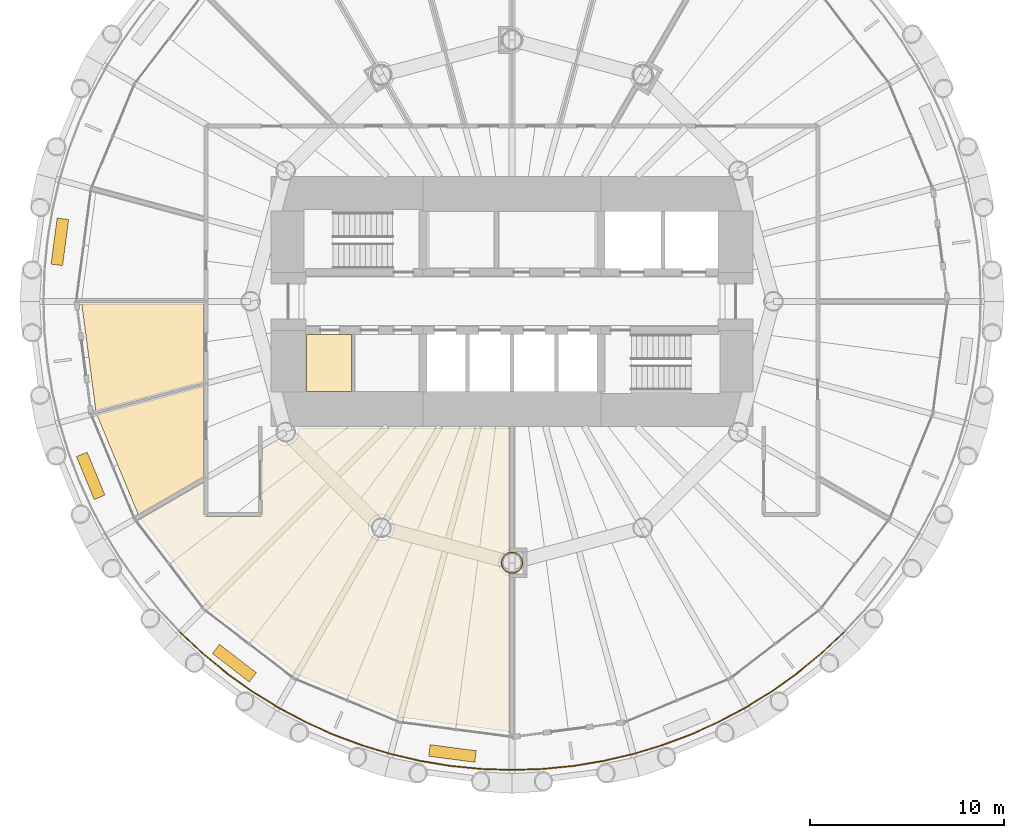
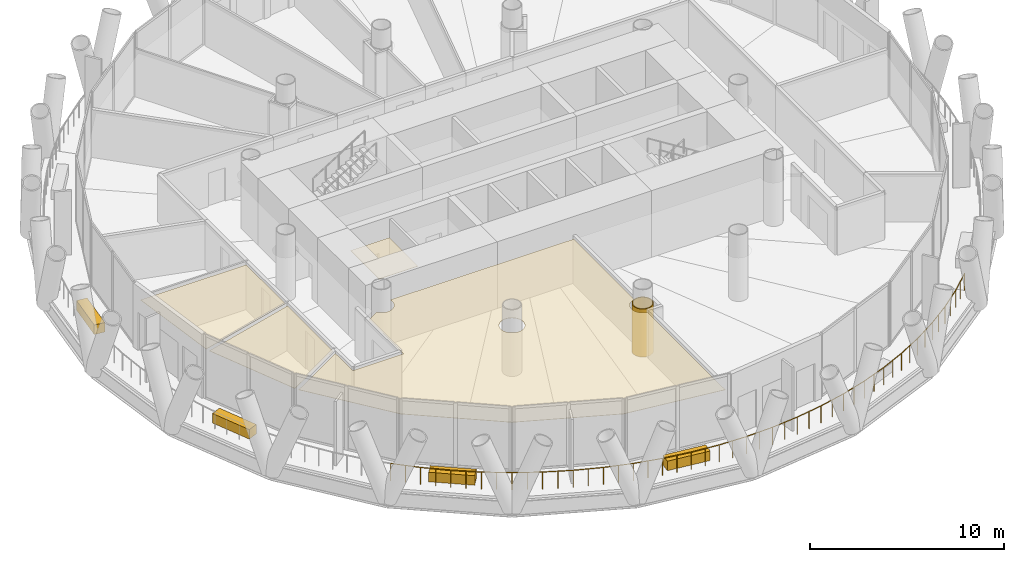
# One storey, part 12 of 15: 9 coverings, 1 railing.
"""IFC4 building model written with IfcOpenShell, lengths in metres."""

from ifc_helpers import new_model, si_unit, direction, frame, origin, origin_2d, place, context, subcontext, project, spatial, polyline, rectangle, circle, outline, extrude, material, layer, layer_set, type_object, element, save


model = new_model("IFC4")

# Units and contexts
model_context = context("Model", 3, precision=1e-05, world=origin(), true_north=direction((0.0, 1.0)))
body_context = subcontext(model_context, "Body", "Model", "MODEL_VIEW")
ifc_project = project(units=[si_unit("LENGTHUNIT", "METRE"), si_unit("AREAUNIT", "SQUARE_METRE"), si_unit("VOLUMEUNIT", "CUBIC_METRE"), si_unit("PLANEANGLEUNIT", "RADIAN"), si_unit("MASSUNIT", "GRAM", prefix="KILO")], contexts=[model_context])

# Site, building, storey
site_placement = place(None, origin())
site = spatial("IfcSite", under=ifc_project, at=site_placement, CompositionType="ELEMENT")
building_placement = place(site_placement, origin())
building = spatial("IfcBuilding", under=site, at=building_placement, Name="Qaws Media Tower", CompositionType="ELEMENT")
storey_placement = place(building_placement, frame((0.0, 0.0, 143.60009765625)))
storey = spatial("IfcBuildingStorey", under=building, at=storey_placement, Name="L32", CompositionType="ELEMENT", Elevation=143.60009765625)

# Railing
ifc_material_1 = material(Name="Stainless steel and glass guard", Category="steel")
railing_type = type_object("IfcRailingType", Name="Balcony guard 1100", PredefinedType="GUARDRAIL", material=ifc_material_1)
railing_placement = place(storey_placement, frame((42.887939453125, 32.887939453125, 0.0)))
element("IfcRailing", 1, at=railing_placement, inside=storey, type_object=railing_type, Name="GR1 balcony guard L32-3", PredefinedType="GUARDRAIL", context=body_context, shape_type="SweptSolid", body=[
    extrude(circle(Radius=0.02392578125, at=origin_2d()), frame((0.0, 0.0, 1.076171875), z_axis=(0.729926480872, -0.683525663397, 0.0), x_axis=(0.683525663397, 0.729926480872, 0.0)), (0.0, 0.0, 1.0), 1.583740234375),
    extrude(circle(Radius=0.02392578125, at=origin_2d()), frame((1.156005859375, -1.08251953125, 1.076171875), z_axis=(0.773001642284, -0.634404020343, 0.0), x_axis=(0.634404020343, 0.773001642284, 0.0)), (0.0, 0.0, 1.0), 1.58349609375),
    extrude(circle(Radius=0.02392578125, at=origin_2d()), frame((2.380126953125, -2.087158203125, 1.076171875), z_axis=(0.81283659414, -0.582491777819, 0.0), x_axis=(0.582491777819, 0.81283659414, 0.0)), (0.0, 0.0, 1.0), 1.58349609375),
    extrude(circle(Radius=0.02392578125, at=origin_2d()), frame((3.667236328125, -3.009521484375, 1.076171875), z_axis=(0.849208715075, -0.528057343706, 0.0), x_axis=(0.528057343706, 0.849208715075, 0.0)), (0.0, 0.0, 1.0), 1.58349609375),
    extrude(circle(Radius=0.02392578125, at=origin_2d()), frame((5.011962890625, -3.845703125, 1.076171875), z_axis=(0.881917304281, -0.471404145515, 0.0), x_axis=(0.471404145515, 0.881917304281, 0.0)), (0.0, 0.0, 1.0), 1.583740234375),
    extrude(circle(Radius=0.02392578125, at=origin_2d()), frame((6.40869140625, -4.59228515625, 1.076171875), z_axis=(0.910856868467, -0.412722382682, 0.0), x_axis=(0.412722382682, 0.910856868467, 0.0)), (0.0, 0.0, 1.0), 1.58349609375),
    extrude(circle(Radius=0.02392578125, at=origin_2d()), frame((7.85107421875, -5.245849609375, 1.076171875), z_axis=(0.935904026053, -0.35225509793, 0.0), x_axis=(0.35225509793, 0.935904026053, 0.0)), (0.0, 0.0, 1.0), 1.583740234375),
    extrude(circle(Radius=0.02392578125, at=origin_2d()), frame((9.333251953125, -5.8037109375, 1.076171875), z_axis=(0.95693489086, -0.290302625985, 0.0), x_axis=(0.290302625985, 0.95693489086, 0.0)), (0.0, 0.0, 1.0), 1.58349609375),
    extrude(circle(Radius=0.02392578125, at=origin_2d()), frame((10.8486328125, -6.263427734375, 1.076171875), z_axis=(0.973874177295, -0.227088279746, 0.0), x_axis=(0.227088279746, 0.973874177295, 0.0)), (0.0, 0.0, 1.0), 1.58349609375),
    extrude(circle(Radius=0.02392578125, at=origin_2d()), frame((12.390869140625, -6.623046875, 1.076171875), z_axis=(0.986659290868, -0.162798782993, 0.0), x_axis=(0.162798782993, 0.986659290868, 0.0)), (0.0, 0.0, 1.0), 1.583740234375),
    extrude(circle(Radius=0.02392578125, at=origin_2d()), frame((13.953369140625, -6.880859375, 1.076171875), z_axis=(0.995181146918, -0.098053479386, 0.0), x_axis=(0.098053479386, 0.995181146918, 0.0)), (0.0, 0.0, 1.0), 1.58349609375),
    extrude(circle(Radius=0.02392578125, at=origin_2d()), frame((15.529296875, -7.0361328125, 1.076171875), z_axis=(0.999465753674, -0.032683439731, 0.0), x_axis=(0.032683439731, 0.999465753674, 0.0)), (0.0, 0.0, 1.0), 1.58349609375),
    extrude(circle(Radius=0.02392578125, at=origin_2d()), frame((17.112060546875, -7.087890625, 1.076171875), z_axis=(0.999465753674, 0.032683439731, 0.0), x_axis=(-0.032683439731, 0.999465753674, 0.0)), (0.0, 0.0, 1.0), 1.58349609375),
    extrude(circle(Radius=0.02392578125, at=origin_2d()), frame((18.69482421875, -7.0361328125, 1.076171875), z_axis=(0.995181146918, 0.098053479386, 0.0), x_axis=(-0.098053479386, 0.995181146918, 0.0)), (0.0, 0.0, 1.0), 1.58349609375),
    extrude(circle(Radius=0.02392578125, at=origin_2d()), frame((20.270751953125, -6.880859375, 1.076171875), z_axis=(0.986659290868, 0.162798782993, 0.0), x_axis=(-0.162798782993, 0.986659290868, 0.0)), (0.0, 0.0, 1.0), 1.583740234375),
    extrude(circle(Radius=0.02392578125, at=origin_2d()), frame((21.833251953125, -6.623046875, 1.076171875), z_axis=(0.973874177295, 0.227088279746, 0.0), x_axis=(-0.227088279746, 0.973874177295, 0.0)), (0.0, 0.0, 1.0), 1.58349609375),
    extrude(circle(Radius=0.02392578125, at=origin_2d()), frame((23.37548828125, -6.263427734375, 1.076171875), z_axis=(0.95693489086, 0.290302625985, 0.0), x_axis=(-0.290302625985, 0.95693489086, 0.0)), (0.0, 0.0, 1.0), 1.58349609375),
    extrude(circle(Radius=0.02392578125, at=origin_2d()), frame((24.890869140625, -5.8037109375, 1.076171875), z_axis=(0.935904026053, 0.35225509793, 0.0), x_axis=(-0.35225509793, 0.935904026053, 0.0)), (0.0, 0.0, 1.0), 1.583740234375),
    extrude(circle(Radius=0.02392578125, at=origin_2d()), frame((26.373046875, -5.245849609375, 1.076171875), z_axis=(0.910856868467, 0.412722382682, 0.0), x_axis=(-0.412722382682, 0.910856868467, 0.0)), (0.0, 0.0, 1.0), 1.58349609375),
    extrude(circle(Radius=0.02392578125, at=origin_2d()), frame((27.8154296875, -4.59228515625, 1.076171875), z_axis=(0.881917304281, 0.471404145515, 0.0), x_axis=(-0.471404145515, 0.881917304281, 0.0)), (0.0, 0.0, 1.0), 1.583740234375),
    extrude(circle(Radius=0.02392578125, at=origin_2d()), frame((29.212158203125, -3.845703125, 1.076171875), z_axis=(0.849208715075, 0.528057343706, 0.0), x_axis=(-0.528057343706, 0.849208715075, 0.0)), (0.0, 0.0, 1.0), 1.58349609375),
    extrude(circle(Radius=0.02392578125, at=origin_2d()), frame((30.556884765625, -3.009521484375, 1.076171875), z_axis=(0.81283659414, 0.582491777819, 0.0), x_axis=(-0.582491777819, 0.81283659414, 0.0)), (0.0, 0.0, 1.0), 1.58349609375),
    extrude(circle(Radius=0.02392578125, at=origin_2d()), frame((31.843994140625, -2.087158203125, 1.076171875), z_axis=(0.773001642284, 0.634404020343, 0.0), x_axis=(-0.634404020343, 0.773001642284, 0.0)), (0.0, 0.0, 1.0), 1.58349609375),
    extrude(circle(Radius=0.02392578125, at=origin_2d()), frame((33.068115234375, -1.08251953125, 1.076171875), z_axis=(0.729926480872, 0.683525663397, 0.0), x_axis=(-0.683525663397, 0.729926480872, 0.0)), (0.0, 0.0, 1.0), 1.583740234375),
    extrude(circle(Radius=0.02099609375, at=origin_2d()), origin(), (0.0, 0.0, 1.0), 1.052001953125),
    extrude(circle(Radius=0.02099609375, at=origin_2d()), frame((0.578125, -0.541259765625, 0.0)), (0.0, 0.0, 1.0), 1.052001953125),
    extrude(circle(Radius=0.02099609375, at=origin_2d()), frame((1.156005859375, -1.08251953125, 0.0)), (0.0, 0.0, 1.0), 1.052001953125),
    extrude(circle(Radius=0.02099609375, at=origin_2d()), frame((1.76806640625, -1.5849609375, 0.0)), (0.0, 0.0, 1.0), 1.052001953125),
    extrude(circle(Radius=0.02099609375, at=origin_2d()), frame((2.380126953125, -2.087158203125, 0.0)), (0.0, 0.0, 1.0), 1.052001953125),
    extrude(circle(Radius=0.02099609375, at=origin_2d()), frame((3.023681640625, -2.54833984375, 0.0)), (0.0, 0.0, 1.0), 1.052001953125),
    extrude(circle(Radius=0.02099609375, at=origin_2d()), frame((3.667236328125, -3.009521484375, 0.0)), (0.0, 0.0, 1.0), 1.052001953125),
    extrude(circle(Radius=0.02099609375, at=origin_2d()), frame((4.339599609375, -3.427734375, 0.0)), (0.0, 0.0, 1.0), 1.052001953125),
    extrude(circle(Radius=0.02099609375, at=origin_2d()), frame((5.011962890625, -3.845703125, 0.0)), (0.0, 0.0, 1.0), 1.052001953125),
    extrude(circle(Radius=0.02099609375, at=origin_2d()), frame((5.71044921875, -4.218994140625, 0.0)), (0.0, 0.0, 1.0), 1.052001953125),
    extrude(circle(Radius=0.02099609375, at=origin_2d()), frame((6.40869140625, -4.59228515625, 0.0)), (0.0, 0.0, 1.0), 1.052001953125),
    extrude(circle(Radius=0.02099609375, at=origin_2d()), frame((7.1298828125, -4.9189453125, 0.0)), (0.0, 0.0, 1.0), 1.052001953125),
    extrude(circle(Radius=0.02099609375, at=origin_2d()), frame((7.85107421875, -5.245849609375, 0.0)), (0.0, 0.0, 1.0), 1.052001953125),
    extrude(circle(Radius=0.02099609375, at=origin_2d()), frame((8.59228515625, -5.52490234375, 0.0)), (0.0, 0.0, 1.0), 1.052001953125),
    extrude(circle(Radius=0.02099609375, at=origin_2d()), frame((9.333251953125, -5.8037109375, 0.0)), (0.0, 0.0, 1.0), 1.052001953125),
    extrude(circle(Radius=0.02099609375, at=origin_2d()), frame((10.0908203125, -6.03369140625, 0.0)), (0.0, 0.0, 1.0), 1.052001953125),
    extrude(circle(Radius=0.02099609375, at=origin_2d()), frame((10.8486328125, -6.263427734375, 0.0)), (0.0, 0.0, 1.0), 1.052001953125),
    extrude(circle(Radius=0.02099609375, at=origin_2d()), frame((11.61962890625, -6.443359375, 0.0)), (0.0, 0.0, 1.0), 1.052001953125),
    extrude(circle(Radius=0.02099609375, at=origin_2d()), frame((12.390869140625, -6.623046875, 0.0)), (0.0, 0.0, 1.0), 1.052001953125),
    extrude(circle(Radius=0.02099609375, at=origin_2d()), frame((13.172119140625, -6.751953125, 0.0)), (0.0, 0.0, 1.0), 1.052001953125),
    extrude(circle(Radius=0.02099609375, at=origin_2d()), frame((13.953369140625, -6.880859375, 0.0)), (0.0, 0.0, 1.0), 1.052001953125),
    extrude(circle(Radius=0.02099609375, at=origin_2d()), frame((14.7412109375, -6.95849609375, 0.0)), (0.0, 0.0, 1.0), 1.052001953125),
    extrude(circle(Radius=0.02099609375, at=origin_2d()), frame((15.529296875, -7.0361328125, 0.0)), (0.0, 0.0, 1.0), 1.052001953125),
    extrude(circle(Radius=0.02099609375, at=origin_2d()), frame((16.32080078125, -7.06201171875, 0.0)), (0.0, 0.0, 1.0), 1.052001953125),
    extrude(circle(Radius=0.02099609375, at=origin_2d()), frame((17.112060546875, -7.087890625, 0.0)), (0.0, 0.0, 1.0), 1.052001953125),
    extrude(circle(Radius=0.02099609375, at=origin_2d()), frame((17.9033203125, -7.06201171875, 0.0)), (0.0, 0.0, 1.0), 1.052001953125),
    extrude(circle(Radius=0.02099609375, at=origin_2d()), frame((18.69482421875, -7.0361328125, 0.0)), (0.0, 0.0, 1.0), 1.052001953125),
    extrude(circle(Radius=0.02099609375, at=origin_2d()), frame((19.48291015625, -6.95849609375, 0.0)), (0.0, 0.0, 1.0), 1.052001953125),
    extrude(circle(Radius=0.02099609375, at=origin_2d()), frame((20.270751953125, -6.880859375, 0.0)), (0.0, 0.0, 1.0), 1.052001953125),
    extrude(circle(Radius=0.02099609375, at=origin_2d()), frame((21.052001953125, -6.751953125, 0.0)), (0.0, 0.0, 1.0), 1.052001953125),
    extrude(circle(Radius=0.02099609375, at=origin_2d()), frame((21.833251953125, -6.623046875, 0.0)), (0.0, 0.0, 1.0), 1.052001953125),
    extrude(circle(Radius=0.02099609375, at=origin_2d()), frame((22.6044921875, -6.443359375, 0.0)), (0.0, 0.0, 1.0), 1.052001953125),
    extrude(circle(Radius=0.02099609375, at=origin_2d()), frame((23.37548828125, -6.263427734375, 0.0)), (0.0, 0.0, 1.0), 1.052001953125),
    extrude(circle(Radius=0.02099609375, at=origin_2d()), frame((24.13330078125, -6.03369140625, 0.0)), (0.0, 0.0, 1.0), 1.052001953125),
    extrude(circle(Radius=0.02099609375, at=origin_2d()), frame((24.890869140625, -5.8037109375, 0.0)), (0.0, 0.0, 1.0), 1.052001953125),
    extrude(circle(Radius=0.02099609375, at=origin_2d()), frame((25.6318359375, -5.52490234375, 0.0)), (0.0, 0.0, 1.0), 1.052001953125),
    extrude(circle(Radius=0.02099609375, at=origin_2d()), frame((26.373046875, -5.245849609375, 0.0)), (0.0, 0.0, 1.0), 1.052001953125),
    extrude(circle(Radius=0.02099609375, at=origin_2d()), frame((27.09423828125, -4.9189453125, 0.0)), (0.0, 0.0, 1.0), 1.052001953125),
    extrude(circle(Radius=0.02099609375, at=origin_2d()), frame((27.8154296875, -4.59228515625, 0.0)), (0.0, 0.0, 1.0), 1.052001953125),
    extrude(circle(Radius=0.02099609375, at=origin_2d()), frame((28.513671875, -4.218994140625, 0.0)), (0.0, 0.0, 1.0), 1.052001953125),
    extrude(circle(Radius=0.02099609375, at=origin_2d()), frame((29.212158203125, -3.845703125, 0.0)), (0.0, 0.0, 1.0), 1.052001953125),
    extrude(circle(Radius=0.02099609375, at=origin_2d()), frame((29.884521484375, -3.427734375, 0.0)), (0.0, 0.0, 1.0), 1.052001953125),
    extrude(circle(Radius=0.02099609375, at=origin_2d()), frame((30.556884765625, -3.009521484375, 0.0)), (0.0, 0.0, 1.0), 1.052001953125),
    extrude(circle(Radius=0.02099609375, at=origin_2d()), frame((31.200439453125, -2.54833984375, 0.0)), (0.0, 0.0, 1.0), 1.052001953125),
    extrude(circle(Radius=0.02099609375, at=origin_2d()), frame((31.843994140625, -2.087158203125, 0.0)), (0.0, 0.0, 1.0), 1.052001953125),
    extrude(circle(Radius=0.02099609375, at=origin_2d()), frame((32.4560546875, -1.5849609375, 0.0)), (0.0, 0.0, 1.0), 1.052001953125),
    extrude(circle(Radius=0.02099609375, at=origin_2d()), frame((33.068115234375, -1.08251953125, 0.0)), (0.0, 0.0, 1.0), 1.052001953125),
    extrude(circle(Radius=0.02099609375, at=origin_2d()), frame((33.64599609375, -0.541259765625, 0.0)), (0.0, 0.0, 1.0), 1.052001953125),
    extrude(circle(Radius=0.02099609375, at=origin_2d()), frame((34.22412109375, 0.0, 0.0)), (0.0, 0.0, 1.0), 1.052001953125),
])

# Coverings
ifc_material_2 = material(Name="Two layers 15 fire-rated gypsum board on steel framing", Category="steel")
ifc_layer_1 = layer(ifc_material_2, 0.050048828125)
ifc_layer_set_1 = layer_set([ifc_layer_1], Name="Column fire casing")
covering_type_1 = type_object("IfcCoveringType", Name="Column fire casing", PredefinedType="CLADDING", material=ifc_layer_set_1)
covering_1_placement = place(storey_placement, origin())
element("IfcCovering", 2, at=covering_1_placement, inside=storey, type_object=covering_type_1, Name="CC1 column casing L32", PredefinedType="CLADDING", context=body_context, shape_type="SweptSolid", body=[
    extrude(outline(polyline([(60.56298828125, 36.5), (60.55810546875, 36.426513671875), (60.543701171875, 36.354248046875), (60.52001953125, 36.284423828125), (60.487548828125, 36.218505859375), (60.44677734375, 36.1572265625), (60.398193359375, 36.101806640625), (60.3427734375, 36.05322265625), (60.281494140625, 36.012451171875), (60.215576171875, 35.97998046875), (60.145751953125, 35.956298828125), (60.073486328125, 35.94189453125), (60.0, 35.93701171875), (59.926513671875, 35.94189453125), (59.854248046875, 35.956298828125), (59.784423828125, 35.97998046875), (59.718505859375, 36.012451171875), (59.6572265625, 36.05322265625), (59.601806640625, 36.101806640625), (59.55322265625, 36.1572265625), (59.512451171875, 36.218505859375), (59.47998046875, 36.284423828125), (59.456298828125, 36.354248046875), (59.44189453125, 36.426513671875), (59.43701171875, 36.5), (59.44189453125, 36.573486328125), (59.456298828125, 36.645751953125), (59.47998046875, 36.715576171875), (59.512451171875, 36.781494140625), (59.55322265625, 36.8427734375), (59.601806640625, 36.898193359375), (59.6572265625, 36.94677734375), (59.718505859375, 36.987548828125), (59.784423828125, 37.02001953125), (59.854248046875, 37.043701171875), (59.926513671875, 37.05810546875), (60.0, 37.06298828125), (60.073486328125, 37.05810546875), (60.145751953125, 37.043701171875), (60.215576171875, 37.02001953125), (60.281494140625, 36.987548828125), (60.3427734375, 36.94677734375), (60.398193359375, 36.898193359375), (60.44677734375, 36.8427734375), (60.487548828125, 36.781494140625), (60.52001953125, 36.715576171875), (60.543701171875, 36.645751953125), (60.55810546875, 36.573486328125), (60.56298828125, 36.5)]), holes=[polyline([(60.510986328125, 36.5), (60.506591796875, 36.433349609375), (60.49365234375, 36.36767578125), (60.47216796875, 36.304443359375), (60.4423828125, 36.244384765625), (60.405517578125, 36.18896484375), (60.361328125, 36.138671875), (60.31103515625, 36.094482421875), (60.255615234375, 36.0576171875), (60.195556640625, 36.02783203125), (60.13232421875, 36.00634765625), (60.066650390625, 35.993408203125), (60.0, 35.989013671875), (59.933349609375, 35.993408203125), (59.86767578125, 36.00634765625), (59.804443359375, 36.02783203125), (59.744384765625, 36.0576171875), (59.68896484375, 36.094482421875), (59.638671875, 36.138671875), (59.594482421875, 36.18896484375), (59.5576171875, 36.244384765625), (59.52783203125, 36.304443359375), (59.50634765625, 36.36767578125), (59.493408203125, 36.433349609375), (59.489013671875, 36.5), (59.493408203125, 36.566650390625), (59.50634765625, 36.63232421875), (59.52783203125, 36.695556640625), (59.5576171875, 36.755615234375), (59.594482421875, 36.81103515625), (59.638671875, 36.861328125), (59.68896484375, 36.905517578125), (59.744384765625, 36.9423828125), (59.804443359375, 36.97216796875), (59.86767578125, 36.99365234375), (59.933349609375, 37.006591796875), (60.0, 37.010986328125), (60.066650390625, 37.006591796875), (60.13232421875, 36.99365234375), (60.195556640625, 36.97216796875), (60.255615234375, 36.9423828125), (60.31103515625, 36.905517578125), (60.361328125, 36.861328125), (60.405517578125, 36.81103515625), (60.4423828125, 36.755615234375), (60.47216796875, 36.695556640625), (60.49365234375, 36.63232421875), (60.506591796875, 36.566650390625), (60.510986328125, 36.5)])]), origin(), (0.0, 0.0, 1.0), 3.02001953125),
])
ifc_material_3 = material(Name="600 x 600 mineral fibre tiles in exposed grid, suspended", Category="mineral fibre")
ifc_layer_2 = layer(ifc_material_3, 0.02001953125)
ifc_layer_set_2 = layer_set([ifc_layer_2], Name="Mineral fibre tile ceiling 20")
covering_type_2 = type_object("IfcCoveringType", Name="Mineral fibre tile ceiling 20", PredefinedType="CEILING", material=ifc_layer_set_2)
covering_2_placement = place(storey_placement, frame((0.0, 0.0, 2.849853515625)))
element("IfcCovering", 3, at=covering_2_placement, inside=storey, type_object=covering_type_2, Name="CL1 ceiling L32-10 Office", PredefinedType="CEILING", context=body_context, shape_type="SweptSolid", body=[
    extrude(outline(polyline([(37.779541015625, 49.887451171875), (44.08740234375, 49.887451171875), (44.08740234375, 45.852783203125), (38.507568359375, 44.357666015625), (37.779541015625, 49.887451171875)])), origin(), (0.0, 0.0, 1.0), 0.02001953125),
])
covering_3_placement = place(storey_placement, frame((0.0, 0.0, 2.849853515625)))
element("IfcCovering", 4, at=covering_3_placement, inside=storey, type_object=covering_type_2, Name="CL1 ceiling L32-11 Office", PredefinedType="CEILING", context=body_context, shape_type="SweptSolid", body=[
    extrude(outline(polyline([(38.56591796875, 44.140380859375), (44.08740234375, 45.619873046875), (44.08740234375, 40.94287109375), (40.7001953125, 38.9873046875), (38.56591796875, 44.140380859375)])), origin(), (0.0, 0.0, 1.0), 0.02001953125),
])
covering_4_placement = place(storey_placement, frame((0.0, 0.0, 2.849853515625)))
element("IfcCovering", 5, at=covering_4_placement, inside=storey, type_object=covering_type_2, Name="CL1 ceiling L32-12 Paralegal office", PredefinedType="CEILING", context=body_context, shape_type="SweptSolid", body=[
    extrude(outline(polyline([(54.2451171875, 28.5224609375), (48.88232421875, 30.74365234375), (44.27734375, 34.27734375), (40.812744140625, 38.79248046875), (44.08740234375, 40.68310546875), (44.08740234375, 38.887451171875), (47.112548828125, 38.887451171875), (47.112548828125, 42.429443359375), (47.795654296875, 42.823974609375), (47.836181640625, 42.777587890625), (47.902099609375, 42.719970703125), (47.974609375, 42.67138671875), (48.052978515625, 42.6328125), (48.1357421875, 42.604736328125), (48.221435546875, 42.587646484375), (48.30859375, 42.58203125), (48.395751953125, 42.587646484375), (48.4814453125, 42.604736328125), (48.564208984375, 42.6328125), (48.642578125, 42.67138671875), (48.71533203125, 42.719970703125), (48.781005859375, 42.777587890625), (48.838623046875, 42.84326171875), (48.88720703125, 42.916015625), (48.92578125, 42.994384765625), (48.953857421875, 43.0771484375), (48.970947265625, 43.162841796875), (48.976806640625, 43.25), (48.970947265625, 43.337158203125), (48.953857421875, 43.4228515625), (48.948974609375, 43.4375), (59.887451171875, 43.4375), (59.887451171875, 37.1572265625), (59.8271484375, 37.145263671875), (59.744384765625, 37.1171875), (59.666015625, 37.07861328125), (59.59326171875, 37.030029296875), (59.527587890625, 36.972412109375), (59.469970703125, 36.90673828125), (59.42138671875, 36.833984375), (59.3828125, 36.755615234375), (59.354736328125, 36.6728515625), (59.337646484375, 36.587158203125), (59.33203125, 36.5), (59.337646484375, 36.412841796875), (59.354736328125, 36.3271484375), (59.3828125, 36.244384765625), (59.42138671875, 36.166015625), (59.469970703125, 36.09326171875), (59.527587890625, 36.027587890625), (59.59326171875, 35.969970703125), (59.666015625, 35.92138671875), (59.744384765625, 35.8828125), (59.8271484375, 35.854736328125), (59.887451171875, 35.8427734375), (59.887451171875, 27.779541015625), (54.2451171875, 28.5224609375)]), holes=[polyline([(53.895263671875, 38.1357421875), (53.912353515625, 38.221435546875), (53.91796875, 38.30859375), (53.912353515625, 38.395751953125), (53.895263671875, 38.4814453125), (53.8671875, 38.564208984375), (53.82861328125, 38.642578125), (53.780029296875, 38.71533203125), (53.722412109375, 38.781005859375), (53.65673828125, 38.838623046875), (53.583984375, 38.88720703125), (53.505615234375, 38.92578125), (53.4228515625, 38.953857421875), (53.337158203125, 38.970947265625), (53.25, 38.976806640625), (53.162841796875, 38.970947265625), (53.0771484375, 38.953857421875), (52.994384765625, 38.92578125), (52.916015625, 38.88720703125), (52.84326171875, 38.838623046875), (52.777587890625, 38.781005859375), (52.719970703125, 38.71533203125), (52.67138671875, 38.642578125), (52.6328125, 38.564208984375), (52.604736328125, 38.4814453125), (52.587646484375, 38.395751953125), (52.58203125, 38.30859375), (52.587646484375, 38.221435546875), (52.604736328125, 38.1357421875), (52.6328125, 38.052978515625), (52.67138671875, 37.974609375), (52.719970703125, 37.902099609375), (52.777587890625, 37.836181640625), (52.84326171875, 37.77880859375), (52.916015625, 37.730224609375), (52.994384765625, 37.69140625), (53.0771484375, 37.663330078125), (53.162841796875, 37.646484375), (53.25, 37.640625), (53.337158203125, 37.646484375), (53.4228515625, 37.663330078125), (53.505615234375, 37.69140625), (53.583984375, 37.730224609375), (53.65673828125, 37.77880859375), (53.722412109375, 37.836181640625), (53.780029296875, 37.902099609375), (53.82861328125, 37.974609375), (53.8671875, 38.052978515625), (53.895263671875, 38.1357421875)])]), origin(), (0.0, 0.0, 1.0), 0.02001953125),
])
ifc_material_4 = material(Name="Precast concrete planter with trailing planting", Category="concrete")
ifc_layer_3 = layer(ifc_material_4, 0.60009765625)
ifc_layer_set_3 = layer_set([ifc_layer_3], Name="Planter 2400x600")
covering_type_3 = type_object("IfcCoveringType", Name="Planter 2400x600", PredefinedType="USERDEFINED", material=ifc_layer_set_3)
for number, where, z_axis, x_axis, name in (
    (6, (36.6513671875, 53.073974609375, -0.000244140625), (0.0, 0.0, 1.0), (-0.13052619222, -0.991444861374, 0.0), "PL1 balcony planter L32-06"),
    (7, (38.24267578125, 40.98779296875, -0.000244140625), (0.0, 0.0, 1.0), (0.382683432365, -0.923879532511, 0.0), "PL1 balcony planter L32-07"),
    (8, (45.66357421875, 31.316650390625, -0.000244140625), (0.0, 0.0, 1.0), (0.793353340291, -0.608761429009, 0.0), "PL1 balcony planter L32-08"),
    (9, (56.926025390625, 26.6513671875, -0.000244140625), (0.0, 0.0, 1.0), (0.991444861374, -0.13052619222, 0.0), "PL1 balcony planter L32-09"),
):
    element("IfcCovering", number, at=place(storey_placement, frame(where, z_axis=z_axis, x_axis=x_axis)), inside=storey, type_object=covering_type_3, Name=name, ObjectType="PLANTER", PredefinedType="USERDEFINED", context=body_context, shape_type="SweptSolid", body=[
        extrude(rectangle(XDim=2.39990234375, YDim=0.60009765625, at=origin_2d()), origin(), (0.0, 0.0, 1.0), 0.60009765625),
    ])
ifc_material_5 = material(Name="Two layers 12.5 moisture-resistant plasterboard on suspended metal furring", Category="gypsum")
ifc_layer_4 = layer(ifc_material_5, 0.02490234375)
ifc_layer_set_4 = layer_set([ifc_layer_4], Name="Plasterboard ceiling 25")
covering_type_4 = type_object("IfcCoveringType", Name="Plasterboard ceiling 25", PredefinedType="CEILING", material=ifc_layer_set_4)
covering_5_placement = place(storey_placement, frame((0.0, 0.0, 2.849853515625)))
element("IfcCovering", 10, at=covering_5_placement, inside=storey, type_object=covering_type_4, Name="CL2 ceiling L32-C04 Accessible WC", PredefinedType="CEILING", context=body_context, shape_type="SweptSolid", body=[
    extrude(outline(polyline([(49.39990234375, 45.35009765625), (49.39990234375, 48.300048828125), (51.699951171875, 48.300048828125), (51.699951171875, 45.35009765625), (49.39990234375, 45.35009765625)])), origin(), (0.0, 0.0, 1.0), 0.025146484375),
])

save(model, "model.ifc")
